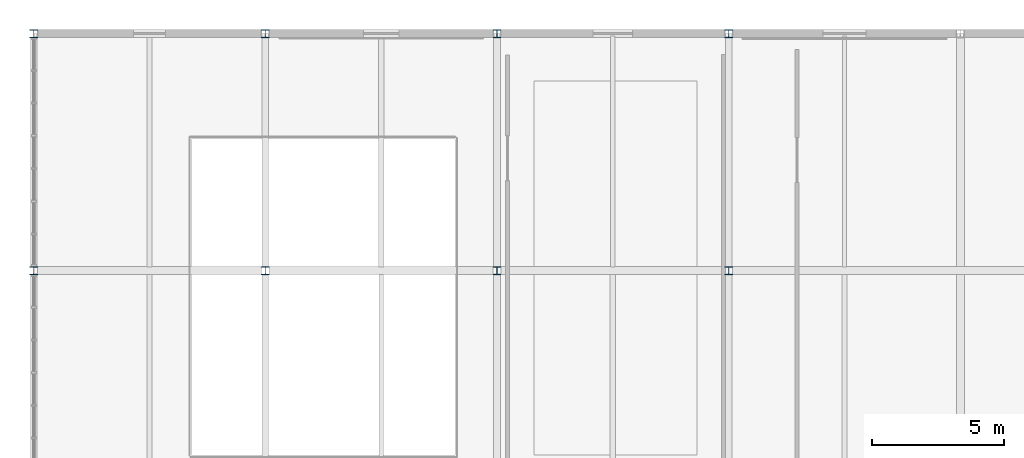
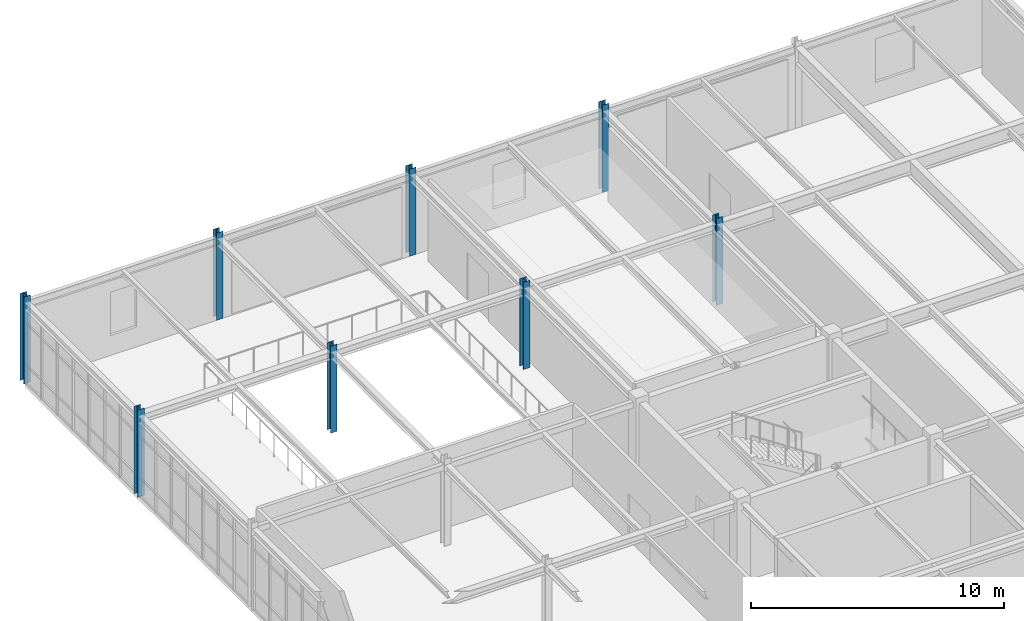
# One storey, part 6 of 88: 8 columns.
"""IFC4 building model written with IfcOpenShell, lengths in metres."""

from ifc_helpers import new_model, si_unit, direction, frame, origin, origin_2d, place, context, subcontext, project, spatial, i_section, extrude, material, material_profile, profile_set, type_object, element, save


model = new_model("IFC4")

# Units and contexts
model_context = context("Model", 3, precision=1e-05, world=origin(), true_north=direction((0.0, 1.0)))
body_context = subcontext(model_context, "Body", "Model", "MODEL_VIEW")
ifc_project = project(units=[si_unit("LENGTHUNIT", "METRE"), si_unit("AREAUNIT", "SQUARE_METRE"), si_unit("VOLUMEUNIT", "CUBIC_METRE"), si_unit("PLANEANGLEUNIT", "RADIAN"), si_unit("MASSUNIT", "GRAM", prefix="KILO")], contexts=[model_context])

# Site, building, storey
site_placement = place(None, origin())
site = spatial("IfcSite", under=ifc_project, at=site_placement, CompositionType="ELEMENT")
building_placement = place(site_placement, origin())
building = spatial("IfcBuilding", under=site, at=building_placement, Name="Zhaolan Boulevard Law Courts", CompositionType="ELEMENT")
storey_placement = place(building_placement, frame((0.0, 0.0, 16.199951171875)))
storey = spatial("IfcBuildingStorey", under=building, at=storey_placement, Name="L03", CompositionType="ELEMENT", Elevation=16.199951171875)

# Columns
ifc_material = material(Name="Structural steel Q355B", Category="steel")
ifc_material_profile = material_profile(ifc_material, i_section(OverallWidth=0.300048828125, OverallDepth=0.300048828125, WebThickness=0.010009765625, FlangeThickness=0.014892578125, FilletRadius=0.01806640625, at=origin_2d()), Name="HW300x300")
ifc_profile_set = profile_set([ifc_material_profile], Name="Structural steel Q355B")
column_type = type_object("IfcColumnType", Name="COL HW300", PredefinedType="COLUMN", material=ifc_profile_set)
for number, where, z_axis, x_axis, name in (
    (1, (0.0, 103.0, 0.0), (0.0, 0.0, 1.0), (1.0, 0.0, 0.0), "Column C-1P (L03)"),
    (2, (0.0, 112.0, 0.0), (0.0, 0.0, 1.0), (1.0, 0.0, 0.0), "Column C-1Q (L03)"),
    (3, (8.800048828125, 103.0, 0.0), (0.0, 0.0, 1.0), (1.0, 0.0, 0.0), "Column C-2P (L03)"),
    (4, (8.800048828125, 112.0, 0.0), (0.0, 0.0, 1.0), (1.0, 0.0, 0.0), "Column C-2Q (L03)"),
    (5, (17.60009765625, 103.0, 0.0), (0.0, 0.0, 1.0), (1.0, 0.0, 0.0), "Column C-3P (L03)"),
    (6, (17.60009765625, 112.0, 0.0), (0.0, 0.0, 1.0), (1.0, 0.0, 0.0), "Column C-3Q (L03)"),
    (7, (26.39990234375, 103.0, 0.0), (0.0, 0.0, 1.0), (1.0, 0.0, 0.0), "Column C-4P (L03)"),
    (8, (26.39990234375, 112.0, 0.0), (0.0, 0.0, 1.0), (1.0, 0.0, 0.0), "Column C-4Q (L03)"),
):
    element("IfcColumn", number, at=place(storey_placement, frame(where, z_axis=z_axis, x_axis=x_axis)), inside=storey, type_object=column_type, Name=name, PredefinedType="COLUMN", context=body_context, shape_type="SweptSolid", body=[
        extrude(i_section(OverallWidth=0.300048828125, OverallDepth=0.300048828125, WebThickness=0.010009765625, FlangeThickness=0.014892578125, FilletRadius=0.01806640625, at=origin_2d()), origin(), (0.0, 0.0, 1.0), 4.199951171875),
    ])

save(model, "model.ifc")
